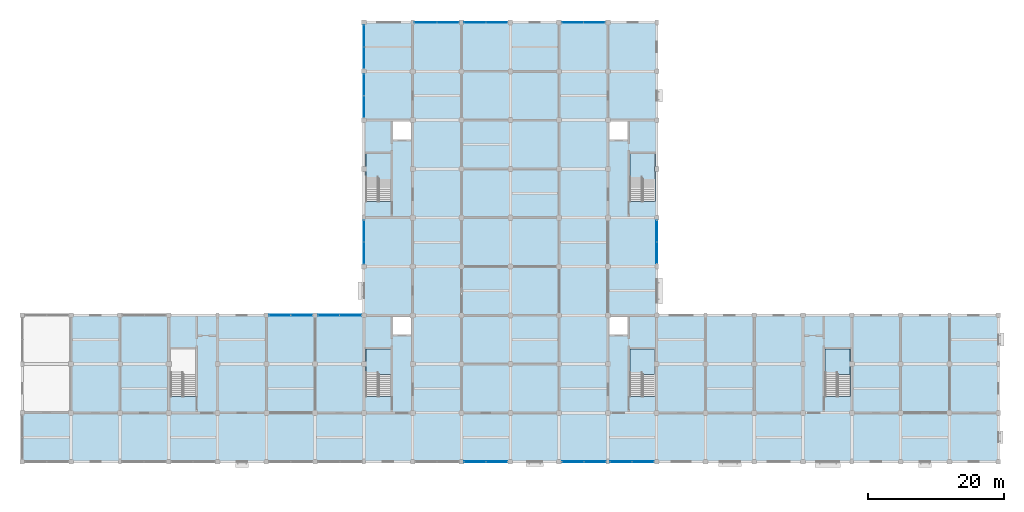
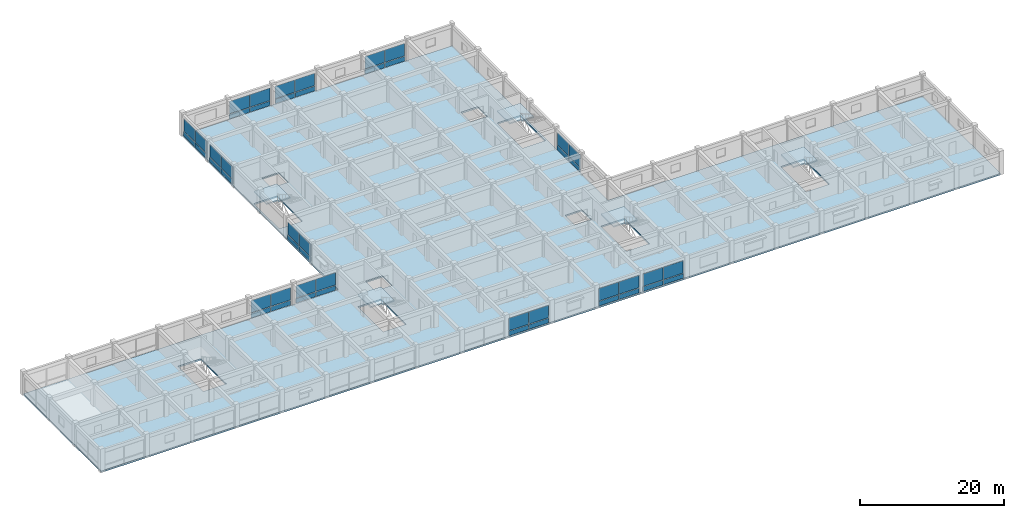
# One storey, part 12 of 25: 48 plates, 6 slabs, 17 elements without a shape of their own.
"""IFC4 building model written with IfcOpenShell, lengths in metres."""

from ifc_helpers import new_model, si_unit, direction, frame, origin, origin_2d, place, context, subcontext, project, spatial, polyline, rectangle, outline, extrude, material, layer, layer_set, type_object, element, aggregate, save


model = new_model("IFC4")

# Units and contexts
model_context = context("Model", 3, precision=1e-05, world=origin(), true_north=direction((0.0, 1.0)))
body_context = subcontext(model_context, "Body", "Model", "MODEL_VIEW")
ifc_project = project(units=[si_unit("LENGTHUNIT", "METRE"), si_unit("AREAUNIT", "SQUARE_METRE"), si_unit("VOLUMEUNIT", "CUBIC_METRE"), si_unit("PLANEANGLEUNIT", "RADIAN"), si_unit("MASSUNIT", "GRAM", prefix="KILO")], contexts=[model_context])

# Site, building, storey
site_placement = place(None, origin())
site = spatial("IfcSite", under=ifc_project, at=site_placement, CompositionType="ELEMENT")
building_placement = place(site_placement, origin())
building = spatial("IfcBuilding", under=site, at=building_placement, Name="Cendaluz Park School", CompositionType="ELEMENT")
storey_placement = place(building_placement, frame((0.0, 0.0, 18.60009765625)))
storey = spatial("IfcBuildingStorey", under=building, at=storey_placement, Name="L04", CompositionType="ELEMENT", Elevation=18.60009765625)

# Curtain wall, plates
ifc_material_1 = material(Name="Anodised Aluminium 6063-T6", Category="aluminium")
ifc_layer_1 = layer(ifc_material_1, 0.179931640625)
ifc_layer_set_1 = layer_set([ifc_layer_1], Name="Anodised Aluminium 6063-T6")
curtain_wall_type_1 = type_object("IfcCurtainWallType", Name="CW-130x62", PredefinedType="NOTDEFINED", material=ifc_layer_set_1)
curtain_wall_1_placement = place(storey_placement, origin())
curtain_wall_1 = element("IfcCurtainWall", 1, at=curtain_wall_1_placement, inside=storey, type_object=curtain_wall_type_1, Name="CW-L04-169", PredefinedType="NOTDEFINED")
ifc_material_2 = material(Name="Tempered Low-E Double Glazing", Category="glass")
ifc_layer_2 = layer(ifc_material_2, 0.028076171875)
ifc_layer_set_2 = layer_set([ifc_layer_2], Name="Tempered Low-E Double Glazing")
plate_type_1 = type_object("IfcPlateType", Name="CWP-G01", PredefinedType="CURTAIN_PANEL", material=ifc_layer_set_2)
plate_1_placement = place(storey_placement, frame((52.39501953125, 28.800048828125, 0.93994140625), z_axis=(0.0, 0.0, 1.0), x_axis=(1.0, 0.0, 0.0)))
plate_1 = element("IfcPlate", 2, at=plate_1_placement, type_object=plate_type_1, Name="CP-L04-2192", PredefinedType="CURTAIN_PANEL", context=body_context, shape_type="SweptSolid", body=[
    extrude(rectangle(XDim=3.1298828125, YDim=0.028076171875, at=origin_2d()), origin(), (0.0, 0.0, 1.0), 2.090087890625),
])
plate_2_placement = place(storey_placement, frame((55.60498046875, 28.800048828125, 0.93994140625), z_axis=(0.0, 0.0, 1.0), x_axis=(1.0, 0.0, 0.0)))
plate_2 = element("IfcPlate", 3, at=plate_2_placement, type_object=plate_type_1, Name="CP-L04-2197", PredefinedType="CURTAIN_PANEL", context=body_context, shape_type="SweptSolid", body=[
    extrude(rectangle(XDim=3.1298828125, YDim=0.028076171875, at=origin_2d()), origin(), (0.0, 0.0, 1.0), 2.090087890625),
])

curtain_wall_2_placement = place(storey_placement, origin())
curtain_wall_2 = element("IfcCurtainWall", 4, at=curtain_wall_2_placement, inside=storey, type_object=curtain_wall_type_1, Name="CW-L04-177", PredefinedType="NOTDEFINED")
plate_3_placement = place(storey_placement, frame((81.195068359375, 7.199951171875, 0.93994140625), z_axis=(0.0, 0.0, 1.0), x_axis=(1.0, 0.0, 0.0)))
plate_3 = element("IfcPlate", 5, at=plate_3_placement, type_object=plate_type_1, Name="CP-L04-2296", PredefinedType="CURTAIN_PANEL", context=body_context, shape_type="SweptSolid", body=[
    extrude(rectangle(XDim=3.1298828125, YDim=0.028076171875, at=origin_2d()), origin(), (0.0, 0.0, 1.0), 2.090087890625),
])
plate_4_placement = place(storey_placement, frame((84.405029296875, 7.199951171875, 0.93994140625), z_axis=(0.0, 0.0, 1.0), x_axis=(1.0, 0.0, 0.0)))
plate_4 = element("IfcPlate", 6, at=plate_4_placement, type_object=plate_type_1, Name="CP-L04-2301", PredefinedType="CURTAIN_PANEL", context=body_context, shape_type="SweptSolid", body=[
    extrude(rectangle(XDim=3.1298828125, YDim=0.028076171875, at=origin_2d()), origin(), (0.0, 0.0, 1.0), 2.090087890625),
])

curtain_wall_3_placement = place(storey_placement, origin())
curtain_wall_3 = element("IfcCurtainWall", 7, at=curtain_wall_3_placement, inside=storey, type_object=curtain_wall_type_1, Name="CW-L04-178", PredefinedType="NOTDEFINED")
plate_5_placement = place(storey_placement, frame((81.195068359375, 72.0, 0.93994140625), z_axis=(0.0, 0.0, 1.0), x_axis=(1.0, 0.0, 0.0)))
plate_5 = element("IfcPlate", 8, at=plate_5_placement, type_object=plate_type_1, Name="CP-L04-2309", PredefinedType="CURTAIN_PANEL", context=body_context, shape_type="SweptSolid", body=[
    extrude(rectangle(XDim=3.1298828125, YDim=0.028076171875, at=origin_2d()), origin(), (0.0, 0.0, 1.0), 2.090087890625),
])
plate_6_placement = place(storey_placement, frame((84.405029296875, 72.0, 0.93994140625), z_axis=(0.0, 0.0, 1.0), x_axis=(1.0, 0.0, 0.0)))
plate_6 = element("IfcPlate", 9, at=plate_6_placement, type_object=plate_type_1, Name="CP-L04-2314", PredefinedType="CURTAIN_PANEL", context=body_context, shape_type="SweptSolid", body=[
    extrude(rectangle(XDim=3.1298828125, YDim=0.028076171875, at=origin_2d()), origin(), (0.0, 0.0, 1.0), 2.090087890625),
])

curtain_wall_4_placement = place(storey_placement, origin())
curtain_wall_4 = element("IfcCurtainWall", 10, at=curtain_wall_4_placement, inside=storey, type_object=curtain_wall_type_1, Name="CW-L04-182", PredefinedType="NOTDEFINED")
plate_7_placement = place(storey_placement, frame((108.0, 38.013671875, 0.93994140625), z_axis=(0.0, 0.0, 1.0), x_axis=(0.0, 1.0, 0.0)))
plate_7 = element("IfcPlate", 11, at=plate_7_placement, type_object=plate_type_1, Name="CP-L04-2361", PredefinedType="CURTAIN_PANEL", context=body_context, shape_type="SweptSolid", body=[
    extrude(rectangle(XDim=3.117431640625, YDim=0.028076171875, at=origin_2d()), origin(), (0.0, 0.0, 1.0), 2.090087890625),
])
plate_8_placement = place(storey_placement, frame((108.0, 41.211181640625, 0.93994140625), z_axis=(0.0, 0.0, 1.0), x_axis=(0.0, 1.0, 0.0)))
plate_8 = element("IfcPlate", 12, at=plate_8_placement, type_object=plate_type_1, Name="CP-L04-2366", PredefinedType="CURTAIN_PANEL", context=body_context, shape_type="SweptSolid", body=[
    extrude(rectangle(XDim=3.117431640625, YDim=0.028076171875, at=origin_2d()), origin(), (0.0, 0.0, 1.0), 2.090087890625),
])

curtain_wall_5_placement = place(storey_placement, origin())
curtain_wall_5 = element("IfcCurtainWall", 13, at=curtain_wall_5_placement, inside=storey, type_object=curtain_wall_type_1, Name="CW-L04-171", PredefinedType="NOTDEFINED")
ifc_layer_3 = layer(ifc_material_2, 0.0380859375)
ifc_layer_set_3 = layer_set([ifc_layer_3], Name="Tempered Low-E Double Glazing")
plate_type_2 = type_object("IfcPlateType", Name="CWP-G02", PredefinedType="CURTAIN_PANEL", material=ifc_layer_set_3)
plate_9_placement = place(storey_placement, frame((59.594970703125, 28.800048828125, 0.93994140625), z_axis=(0.0, 0.0, 1.0), x_axis=(1.0, 0.0, 0.0)))
plate_9 = element("IfcPlate", 14, at=plate_9_placement, type_object=plate_type_2, Name="CP-L04-2218", PredefinedType="CURTAIN_PANEL", context=body_context, shape_type="SweptSolid", body=[
    extrude(rectangle(XDim=3.1298828125, YDim=0.0380859375, at=origin_2d()), origin(), (0.0, 0.0, 1.0), 2.090087890625),
])
plate_10_placement = place(storey_placement, frame((62.804931640625, 28.800048828125, 0.93994140625), z_axis=(0.0, 0.0, 1.0), x_axis=(1.0, 0.0, 0.0)))
plate_10 = element("IfcPlate", 15, at=plate_10_placement, type_object=plate_type_2, Name="CP-L04-2223", PredefinedType="CURTAIN_PANEL", context=body_context, shape_type="SweptSolid", body=[
    extrude(rectangle(XDim=3.1298828125, YDim=0.0380859375, at=origin_2d()), origin(), (0.0, 0.0, 1.0), 2.090087890625),
])

curtain_wall_6_placement = place(storey_placement, origin())
curtain_wall_6 = element("IfcCurtainWall", 16, at=curtain_wall_6_placement, inside=storey, type_object=curtain_wall_type_1, Name="CW-L04-172", PredefinedType="NOTDEFINED")
ifc_layer_4 = layer(ifc_material_2, 0.048095703125)
ifc_layer_set_4 = layer_set([ifc_layer_4], Name="Tempered Low-E Double Glazing")
plate_type_3 = type_object("IfcPlateType", Name="CWP-G03", PredefinedType="CURTAIN_PANEL", material=ifc_layer_set_4)
plate_11_placement = place(storey_placement, frame((64.800048828125, 37.98876953125, 0.93994140625), z_axis=(0.0, 0.0, 1.0), x_axis=(0.0, 1.0, 0.0)))
plate_11 = element("IfcPlate", 17, at=plate_11_placement, type_object=plate_type_3, Name="CP-L04-2231", PredefinedType="CURTAIN_PANEL", context=body_context, shape_type="SweptSolid", body=[
    extrude(rectangle(XDim=3.117431640625, YDim=0.048095703125, at=origin_2d()), origin(), (0.0, 0.0, 1.0), 2.090087890625),
])
plate_12_placement = place(storey_placement, frame((64.800048828125, 41.186279296875, 0.93994140625), z_axis=(0.0, 0.0, 1.0), x_axis=(0.0, 1.0, 0.0)))
plate_12 = element("IfcPlate", 18, at=plate_12_placement, type_object=plate_type_3, Name="CP-L04-2236", PredefinedType="CURTAIN_PANEL", context=body_context, shape_type="SweptSolid", body=[
    extrude(rectangle(XDim=3.117431640625, YDim=0.048095703125, at=origin_2d()), origin(), (0.0, 0.0, 1.0), 2.090087890625),
])

curtain_wall_7_placement = place(storey_placement, origin())
curtain_wall_7 = element("IfcCurtainWall", 19, at=curtain_wall_7_placement, inside=storey, type_object=curtain_wall_type_1, Name="CW-L04-173", PredefinedType="NOTDEFINED")
plate_13_placement = place(storey_placement, frame((64.800048828125, 59.594970703125, 0.93994140625), z_axis=(0.0, 0.0, 1.0), x_axis=(0.0, 1.0, 0.0)))
plate_13 = element("IfcPlate", 20, at=plate_13_placement, type_object=plate_type_3, Name="CP-L04-2244", PredefinedType="CURTAIN_PANEL", context=body_context, shape_type="SweptSolid", body=[
    extrude(rectangle(XDim=3.1298828125, YDim=0.048095703125, at=origin_2d()), origin(), (0.0, 0.0, 1.0), 2.090087890625),
])
plate_14_placement = place(storey_placement, frame((64.800048828125, 62.804931640625, 0.93994140625), z_axis=(0.0, 0.0, 1.0), x_axis=(0.0, 1.0, 0.0)))
plate_14 = element("IfcPlate", 21, at=plate_14_placement, type_object=plate_type_3, Name="CP-L04-2249", PredefinedType="CURTAIN_PANEL", context=body_context, shape_type="SweptSolid", body=[
    extrude(rectangle(XDim=3.1298828125, YDim=0.048095703125, at=origin_2d()), origin(), (0.0, 0.0, 1.0), 2.090087890625),
])

curtain_wall_8_placement = place(storey_placement, origin())
curtain_wall_8 = element("IfcCurtainWall", 22, at=curtain_wall_8_placement, inside=storey, type_object=curtain_wall_type_1, Name="CW-L04-174", PredefinedType="NOTDEFINED")
plate_15_placement = place(storey_placement, frame((64.800048828125, 66.794921875, 0.93994140625), z_axis=(0.0, 0.0, 1.0), x_axis=(0.0, 1.0, 0.0)))
plate_15 = element("IfcPlate", 23, at=plate_15_placement, type_object=plate_type_3, Name="CP-L04-2257", PredefinedType="CURTAIN_PANEL", context=body_context, shape_type="SweptSolid", body=[
    extrude(rectangle(XDim=3.1298828125, YDim=0.048095703125, at=origin_2d()), origin(), (0.0, 0.0, 1.0), 2.090087890625),
])
plate_16_placement = place(storey_placement, frame((64.800048828125, 70.0048828125, 0.93994140625), z_axis=(0.0, 0.0, 1.0), x_axis=(0.0, 1.0, 0.0)))
plate_16 = element("IfcPlate", 24, at=plate_16_placement, type_object=plate_type_3, Name="CP-L04-2262", PredefinedType="CURTAIN_PANEL", context=body_context, shape_type="SweptSolid", body=[
    extrude(rectangle(XDim=3.1298828125, YDim=0.048095703125, at=origin_2d()), origin(), (0.0, 0.0, 1.0), 2.090087890625),
])

ifc_layer_5 = layer(ifc_material_1, 0.179931640625)
ifc_layer_set_5 = layer_set([ifc_layer_5], Name="Anodised Aluminium 6063-T6")
curtain_wall_type_2 = type_object("IfcCurtainWallType", Name="CW-132x62", PredefinedType="NOTDEFINED", material=ifc_layer_set_5)
curtain_wall_9_placement = place(storey_placement, origin())
curtain_wall_9 = element("IfcCurtainWall", 25, at=curtain_wall_9_placement, inside=storey, type_object=curtain_wall_type_2, Name="CW-L04-179", PredefinedType="NOTDEFINED")
plate_17_placement = place(storey_placement, frame((95.6201171875, 7.199951171875, 0.93994140625), z_axis=(0.0, 0.0, 1.0), x_axis=(1.0, 0.0, 0.0)))
plate_17 = element("IfcPlate", 26, at=plate_17_placement, type_object=plate_type_3, Name="CP-L04-2322", PredefinedType="CURTAIN_PANEL", context=body_context, shape_type="SweptSolid", body=[
    extrude(rectangle(XDim=3.179931640625, YDim=0.048095703125, at=origin_2d()), origin(), (0.0, 0.0, 1.0), 2.090087890625),
])
plate_18_placement = place(storey_placement, frame((98.8798828125, 7.199951171875, 0.93994140625), z_axis=(0.0, 0.0, 1.0), x_axis=(1.0, 0.0, 0.0)))
plate_18 = element("IfcPlate", 27, at=plate_18_placement, type_object=plate_type_3, Name="CP-L04-2327", PredefinedType="CURTAIN_PANEL", context=body_context, shape_type="SweptSolid", body=[
    extrude(rectangle(XDim=3.179931640625, YDim=0.048095703125, at=origin_2d()), origin(), (0.0, 0.0, 1.0), 2.090087890625),
])

curtain_wall_10_placement = place(storey_placement, origin())
curtain_wall_10 = element("IfcCurtainWall", 28, at=curtain_wall_10_placement, inside=storey, type_object=curtain_wall_type_1, Name="CW-L04-180", PredefinedType="NOTDEFINED")
plate_19_placement = place(storey_placement, frame((95.594970703125, 72.0, 0.93994140625), z_axis=(0.0, 0.0, 1.0), x_axis=(1.0, 0.0, 0.0)))
plate_19 = element("IfcPlate", 29, at=plate_19_placement, type_object=plate_type_3, Name="CP-L04-2335", PredefinedType="CURTAIN_PANEL", context=body_context, shape_type="SweptSolid", body=[
    extrude(rectangle(XDim=3.1298828125, YDim=0.048095703125, at=origin_2d()), origin(), (0.0, 0.0, 1.0), 2.090087890625),
])
plate_20_placement = place(storey_placement, frame((98.804931640625, 72.0, 0.93994140625), z_axis=(0.0, 0.0, 1.0), x_axis=(1.0, 0.0, 0.0)))
plate_20 = element("IfcPlate", 30, at=plate_20_placement, type_object=plate_type_3, Name="CP-L04-2340", PredefinedType="CURTAIN_PANEL", context=body_context, shape_type="SweptSolid", body=[
    extrude(rectangle(XDim=3.1298828125, YDim=0.048095703125, at=origin_2d()), origin(), (0.0, 0.0, 1.0), 2.090087890625),
])

curtain_wall_11_placement = place(storey_placement, origin())
curtain_wall_11 = element("IfcCurtainWall", 31, at=curtain_wall_11_placement, inside=storey, type_object=curtain_wall_type_2, Name="CW-L04-176", PredefinedType="NOTDEFINED")
ifc_layer_6 = layer(ifc_material_2, 0.05810546875)
ifc_layer_set_6 = layer_set([ifc_layer_6], Name="Tempered Low-E Double Glazing")
plate_type_4 = type_object("IfcPlateType", Name="CWP-G04", PredefinedType="CURTAIN_PANEL", material=ifc_layer_set_6)
plate_21_placement = place(storey_placement, frame((73.919921875, 72.0, 0.93994140625), z_axis=(0.0, 0.0, 1.0), x_axis=(1.0, 0.0, 0.0)))
plate_21 = element("IfcPlate", 32, at=plate_21_placement, type_object=plate_type_4, Name="CP-L04-2283", PredefinedType="CURTAIN_PANEL", context=body_context, shape_type="SweptSolid", body=[
    extrude(rectangle(XDim=3.179931640625, YDim=0.05810546875, at=origin_2d()), origin(), (0.0, 0.0, 1.0), 2.090087890625),
])
plate_22_placement = place(storey_placement, frame((77.179931640625, 72.0, 0.93994140625), z_axis=(0.0, 0.0, 1.0), x_axis=(1.0, 0.0, 0.0)))
plate_22 = element("IfcPlate", 33, at=plate_22_placement, type_object=plate_type_4, Name="CP-L04-2288", PredefinedType="CURTAIN_PANEL", context=body_context, shape_type="SweptSolid", body=[
    extrude(rectangle(XDim=3.179931640625, YDim=0.05810546875, at=origin_2d()), origin(), (0.0, 0.0, 1.0), 2.090087890625),
])

curtain_wall_12_placement = place(storey_placement, origin())
curtain_wall_12 = element("IfcCurtainWall", 34, at=curtain_wall_12_placement, inside=storey, type_object=curtain_wall_type_2, Name="CW-L04-181", PredefinedType="NOTDEFINED")
plate_23_placement = place(storey_placement, frame((102.719970703125, 7.199951171875, 0.93994140625), z_axis=(0.0, 0.0, 1.0), x_axis=(1.0, 0.0, 0.0)))
plate_23 = element("IfcPlate", 35, at=plate_23_placement, type_object=plate_type_4, Name="CP-L04-2348", PredefinedType="CURTAIN_PANEL", context=body_context, shape_type="SweptSolid", body=[
    extrude(rectangle(XDim=3.179931640625, YDim=0.05810546875, at=origin_2d()), origin(), (0.0, 0.0, 1.0), 2.090087890625),
])
plate_24_placement = place(storey_placement, frame((105.97998046875, 7.199951171875, 0.93994140625), z_axis=(0.0, 0.0, 1.0), x_axis=(1.0, 0.0, 0.0)))
plate_24 = element("IfcPlate", 36, at=plate_24_placement, type_object=plate_type_4, Name="CP-L04-2353", PredefinedType="CURTAIN_PANEL", context=body_context, shape_type="SweptSolid", body=[
    extrude(rectangle(XDim=3.179931640625, YDim=0.05810546875, at=origin_2d()), origin(), (0.0, 0.0, 1.0), 2.090087890625),
])

# Plate
ifc_layer_7 = layer(ifc_material_1, 0.094970703125)
ifc_layer_set_7 = layer_set([ifc_layer_7], Name="Anodised Aluminium 6063-T6")
plate_type_5 = type_object("IfcPlateType", Name="CWP-S02", PredefinedType="CURTAIN_PANEL", material=ifc_layer_set_7)
plate_25_placement = place(storey_placement, frame((52.39501953125, 28.800048828125, 0.080078125), z_axis=(0.0, 0.0, 1.0), x_axis=(1.0, 0.0, 0.0)))
plate_25 = element("IfcPlate", 37, at=plate_25_placement, type_object=plate_type_5, Name="CP-L04-2191", PredefinedType="CURTAIN_PANEL", context=body_context, shape_type="SweptSolid", body=[
    extrude(rectangle(XDim=3.1298828125, YDim=0.094970703125, at=origin_2d()), origin(), (0.0, 0.0, 1.0), 0.780029296875),
])

plate_26_placement = place(storey_placement, frame((55.60498046875, 28.800048828125, 0.080078125), z_axis=(0.0, 0.0, 1.0), x_axis=(1.0, 0.0, 0.0)))
plate_26 = element("IfcPlate", 38, at=plate_26_placement, type_object=plate_type_5, Name="CP-L04-2196", PredefinedType="CURTAIN_PANEL", context=body_context, shape_type="SweptSolid", body=[
    extrude(rectangle(XDim=3.1298828125, YDim=0.094970703125, at=origin_2d()), origin(), (0.0, 0.0, 1.0), 0.780029296875),
])

aggregate(curtain_wall_1, [plate_25, plate_1, plate_26, plate_2])

plate_27_placement = place(storey_placement, frame((59.594970703125, 28.800048828125, 0.080078125), z_axis=(0.0, 0.0, 1.0), x_axis=(1.0, 0.0, 0.0)))
plate_27 = element("IfcPlate", 39, at=plate_27_placement, type_object=plate_type_5, Name="CP-L04-2217", PredefinedType="CURTAIN_PANEL", context=body_context, shape_type="SweptSolid", body=[
    extrude(rectangle(XDim=3.1298828125, YDim=0.094970703125, at=origin_2d()), origin(), (0.0, 0.0, 1.0), 0.780029296875),
])

plate_28_placement = place(storey_placement, frame((62.804931640625, 28.800048828125, 0.080078125), z_axis=(0.0, 0.0, 1.0), x_axis=(1.0, 0.0, 0.0)))
plate_28 = element("IfcPlate", 40, at=plate_28_placement, type_object=plate_type_5, Name="CP-L04-2222", PredefinedType="CURTAIN_PANEL", context=body_context, shape_type="SweptSolid", body=[
    extrude(rectangle(XDim=3.1298828125, YDim=0.094970703125, at=origin_2d()), origin(), (0.0, 0.0, 1.0), 0.780029296875),
])

aggregate(curtain_wall_5, [plate_27, plate_9, plate_28, plate_10])

plate_29_placement = place(storey_placement, frame((64.800048828125, 59.594970703125, 0.080078125), z_axis=(0.0, 0.0, 1.0), x_axis=(0.0, 1.0, 0.0)))
plate_29 = element("IfcPlate", 41, at=plate_29_placement, type_object=plate_type_5, Name="CP-L04-2243", PredefinedType="CURTAIN_PANEL", context=body_context, shape_type="SweptSolid", body=[
    extrude(rectangle(XDim=3.1298828125, YDim=0.094970703125, at=origin_2d()), origin(), (0.0, 0.0, 1.0), 0.780029296875),
])

plate_30_placement = place(storey_placement, frame((64.800048828125, 62.804931640625, 0.080078125), z_axis=(0.0, 0.0, 1.0), x_axis=(0.0, 1.0, 0.0)))
plate_30 = element("IfcPlate", 42, at=plate_30_placement, type_object=plate_type_5, Name="CP-L04-2248", PredefinedType="CURTAIN_PANEL", context=body_context, shape_type="SweptSolid", body=[
    extrude(rectangle(XDim=3.1298828125, YDim=0.094970703125, at=origin_2d()), origin(), (0.0, 0.0, 1.0), 0.780029296875),
])

aggregate(curtain_wall_7, [plate_29, plate_13, plate_30, plate_14])

ifc_layer_8 = layer(ifc_material_1, 0.110107421875)
ifc_layer_set_8 = layer_set([ifc_layer_8], Name="Anodised Aluminium 6063-T6")
plate_type_6 = type_object("IfcPlateType", Name="CWP-S03", PredefinedType="CURTAIN_PANEL", material=ifc_layer_set_8)
plate_31_placement = place(storey_placement, frame((64.800048828125, 37.98876953125, 0.080078125), z_axis=(0.0, 0.0, 1.0), x_axis=(0.0, 1.0, 0.0)))
plate_31 = element("IfcPlate", 43, at=plate_31_placement, type_object=plate_type_6, Name="CP-L04-2230", PredefinedType="CURTAIN_PANEL", context=body_context, shape_type="SweptSolid", body=[
    extrude(rectangle(XDim=3.117431640625, YDim=0.110107421875, at=origin_2d()), origin(), (0.0, 0.0, 1.0), 0.780029296875),
])

plate_32_placement = place(storey_placement, frame((64.800048828125, 41.186279296875, 0.080078125), z_axis=(0.0, 0.0, 1.0), x_axis=(0.0, 1.0, 0.0)))
plate_32 = element("IfcPlate", 44, at=plate_32_placement, type_object=plate_type_6, Name="CP-L04-2235", PredefinedType="CURTAIN_PANEL", context=body_context, shape_type="SweptSolid", body=[
    extrude(rectangle(XDim=3.117431640625, YDim=0.110107421875, at=origin_2d()), origin(), (0.0, 0.0, 1.0), 0.780029296875),
])

aggregate(curtain_wall_6, [plate_31, plate_11, plate_32, plate_12])

plate_33_placement = place(storey_placement, frame((64.800048828125, 66.794921875, 0.080078125), z_axis=(0.0, 0.0, 1.0), x_axis=(0.0, 1.0, 0.0)))
plate_33 = element("IfcPlate", 45, at=plate_33_placement, type_object=plate_type_6, Name="CP-L04-2256", PredefinedType="CURTAIN_PANEL", context=body_context, shape_type="SweptSolid", body=[
    extrude(rectangle(XDim=3.1298828125, YDim=0.110107421875, at=origin_2d()), origin(), (0.0, 0.0, 1.0), 0.780029296875),
])

plate_34_placement = place(storey_placement, frame((64.800048828125, 70.0048828125, 0.080078125), z_axis=(0.0, 0.0, 1.0), x_axis=(0.0, 1.0, 0.0)))
plate_34 = element("IfcPlate", 46, at=plate_34_placement, type_object=plate_type_6, Name="CP-L04-2261", PredefinedType="CURTAIN_PANEL", context=body_context, shape_type="SweptSolid", body=[
    extrude(rectangle(XDim=3.1298828125, YDim=0.110107421875, at=origin_2d()), origin(), (0.0, 0.0, 1.0), 0.780029296875),
])

aggregate(curtain_wall_8, [plate_33, plate_15, plate_34, plate_16])

plate_35_placement = place(storey_placement, frame((81.195068359375, 7.199951171875, 0.080078125), z_axis=(0.0, 0.0, 1.0), x_axis=(1.0, 0.0, 0.0)))
plate_35 = element("IfcPlate", 47, at=plate_35_placement, type_object=plate_type_6, Name="CP-L04-2295", PredefinedType="CURTAIN_PANEL", context=body_context, shape_type="SweptSolid", body=[
    extrude(rectangle(XDim=3.1298828125, YDim=0.110107421875, at=origin_2d()), origin(), (0.0, 0.0, 1.0), 0.780029296875),
])

plate_36_placement = place(storey_placement, frame((84.405029296875, 7.199951171875, 0.080078125), z_axis=(0.0, 0.0, 1.0), x_axis=(1.0, 0.0, 0.0)))
plate_36 = element("IfcPlate", 48, at=plate_36_placement, type_object=plate_type_6, Name="CP-L04-2300", PredefinedType="CURTAIN_PANEL", context=body_context, shape_type="SweptSolid", body=[
    extrude(rectangle(XDim=3.1298828125, YDim=0.110107421875, at=origin_2d()), origin(), (0.0, 0.0, 1.0), 0.780029296875),
])

aggregate(curtain_wall_2, [plate_35, plate_3, plate_36, plate_4])

plate_37_placement = place(storey_placement, frame((95.6201171875, 7.199951171875, 0.080078125), z_axis=(0.0, 0.0, 1.0), x_axis=(1.0, 0.0, 0.0)))
plate_37 = element("IfcPlate", 49, at=plate_37_placement, type_object=plate_type_6, Name="CP-L04-2321", PredefinedType="CURTAIN_PANEL", context=body_context, shape_type="SweptSolid", body=[
    extrude(rectangle(XDim=3.179931640625, YDim=0.110107421875, at=origin_2d()), origin(), (0.0, 0.0, 1.0), 0.780029296875),
])

plate_38_placement = place(storey_placement, frame((98.8798828125, 7.199951171875, 0.080078125), z_axis=(0.0, 0.0, 1.0), x_axis=(1.0, 0.0, 0.0)))
plate_38 = element("IfcPlate", 50, at=plate_38_placement, type_object=plate_type_6, Name="CP-L04-2326", PredefinedType="CURTAIN_PANEL", context=body_context, shape_type="SweptSolid", body=[
    extrude(rectangle(XDim=3.179931640625, YDim=0.110107421875, at=origin_2d()), origin(), (0.0, 0.0, 1.0), 0.780029296875),
])

aggregate(curtain_wall_9, [plate_37, plate_17, plate_38, plate_18])

plate_39_placement = place(storey_placement, frame((102.719970703125, 7.199951171875, 0.080078125), z_axis=(0.0, 0.0, 1.0), x_axis=(1.0, 0.0, 0.0)))
plate_39 = element("IfcPlate", 51, at=plate_39_placement, type_object=plate_type_6, Name="CP-L04-2347", PredefinedType="CURTAIN_PANEL", context=body_context, shape_type="SweptSolid", body=[
    extrude(rectangle(XDim=3.179931640625, YDim=0.110107421875, at=origin_2d()), origin(), (0.0, 0.0, 1.0), 0.780029296875),
])

plate_40_placement = place(storey_placement, frame((105.97998046875, 7.199951171875, 0.080078125), z_axis=(0.0, 0.0, 1.0), x_axis=(1.0, 0.0, 0.0)))
plate_40 = element("IfcPlate", 52, at=plate_40_placement, type_object=plate_type_6, Name="CP-L04-2352", PredefinedType="CURTAIN_PANEL", context=body_context, shape_type="SweptSolid", body=[
    extrude(rectangle(XDim=3.179931640625, YDim=0.110107421875, at=origin_2d()), origin(), (0.0, 0.0, 1.0), 0.780029296875),
])

aggregate(curtain_wall_12, [plate_39, plate_23, plate_40, plate_24])

plate_41_placement = place(storey_placement, frame((108.0, 38.013671875, 0.080078125), z_axis=(0.0, 0.0, 1.0), x_axis=(0.0, 1.0, 0.0)))
plate_41 = element("IfcPlate", 53, at=plate_41_placement, type_object=plate_type_6, Name="CP-L04-2360", PredefinedType="CURTAIN_PANEL", context=body_context, shape_type="SweptSolid", body=[
    extrude(rectangle(XDim=3.117431640625, YDim=0.110107421875, at=origin_2d()), origin(), (0.0, 0.0, 1.0), 0.780029296875),
])

plate_42_placement = place(storey_placement, frame((108.0, 41.211181640625, 0.080078125), z_axis=(0.0, 0.0, 1.0), x_axis=(0.0, 1.0, 0.0)))
plate_42 = element("IfcPlate", 54, at=plate_42_placement, type_object=plate_type_6, Name="CP-L04-2365", PredefinedType="CURTAIN_PANEL", context=body_context, shape_type="SweptSolid", body=[
    extrude(rectangle(XDim=3.117431640625, YDim=0.110107421875, at=origin_2d()), origin(), (0.0, 0.0, 1.0), 0.780029296875),
])

aggregate(curtain_wall_4, [plate_41, plate_7, plate_42, plate_8])

ifc_layer_9 = layer(ifc_material_1, 0.125)
ifc_layer_set_9 = layer_set([ifc_layer_9], Name="Anodised Aluminium 6063-T6")
plate_type_7 = type_object("IfcPlateType", Name="CWP-S04", PredefinedType="CURTAIN_PANEL", material=ifc_layer_set_9)
plate_43_placement = place(storey_placement, frame((73.919921875, 72.0, 0.080078125), z_axis=(0.0, 0.0, 1.0), x_axis=(1.0, 0.0, 0.0)))
plate_43 = element("IfcPlate", 55, at=plate_43_placement, type_object=plate_type_7, Name="CP-L04-2282", PredefinedType="CURTAIN_PANEL", context=body_context, shape_type="SweptSolid", body=[
    extrude(rectangle(XDim=3.179931640625, YDim=0.125, at=origin_2d()), origin(), (0.0, 0.0, 1.0), 0.780029296875),
])

plate_44_placement = place(storey_placement, frame((77.179931640625, 72.0, 0.080078125), z_axis=(0.0, 0.0, 1.0), x_axis=(1.0, 0.0, 0.0)))
plate_44 = element("IfcPlate", 56, at=plate_44_placement, type_object=plate_type_7, Name="CP-L04-2287", PredefinedType="CURTAIN_PANEL", context=body_context, shape_type="SweptSolid", body=[
    extrude(rectangle(XDim=3.179931640625, YDim=0.125, at=origin_2d()), origin(), (0.0, 0.0, 1.0), 0.780029296875),
])

aggregate(curtain_wall_11, [plate_43, plate_21, plate_44, plate_22])

plate_45_placement = place(storey_placement, frame((81.195068359375, 72.0, 0.080078125), z_axis=(0.0, 0.0, 1.0), x_axis=(1.0, 0.0, 0.0)))
plate_45 = element("IfcPlate", 57, at=plate_45_placement, type_object=plate_type_7, Name="CP-L04-2308", PredefinedType="CURTAIN_PANEL", context=body_context, shape_type="SweptSolid", body=[
    extrude(rectangle(XDim=3.1298828125, YDim=0.125, at=origin_2d()), origin(), (0.0, 0.0, 1.0), 0.780029296875),
])

plate_46_placement = place(storey_placement, frame((84.405029296875, 72.0, 0.080078125), z_axis=(0.0, 0.0, 1.0), x_axis=(1.0, 0.0, 0.0)))
plate_46 = element("IfcPlate", 58, at=plate_46_placement, type_object=plate_type_7, Name="CP-L04-2313", PredefinedType="CURTAIN_PANEL", context=body_context, shape_type="SweptSolid", body=[
    extrude(rectangle(XDim=3.1298828125, YDim=0.125, at=origin_2d()), origin(), (0.0, 0.0, 1.0), 0.780029296875),
])

aggregate(curtain_wall_3, [plate_45, plate_5, plate_46, plate_6])

plate_47_placement = place(storey_placement, frame((95.594970703125, 72.0, 0.080078125), z_axis=(0.0, 0.0, 1.0), x_axis=(1.0, 0.0, 0.0)))
plate_47 = element("IfcPlate", 59, at=plate_47_placement, type_object=plate_type_7, Name="CP-L04-2334", PredefinedType="CURTAIN_PANEL", context=body_context, shape_type="SweptSolid", body=[
    extrude(rectangle(XDim=3.1298828125, YDim=0.125, at=origin_2d()), origin(), (0.0, 0.0, 1.0), 0.780029296875),
])

plate_48_placement = place(storey_placement, frame((98.804931640625, 72.0, 0.080078125), z_axis=(0.0, 0.0, 1.0), x_axis=(1.0, 0.0, 0.0)))
plate_48 = element("IfcPlate", 60, at=plate_48_placement, type_object=plate_type_7, Name="CP-L04-2339", PredefinedType="CURTAIN_PANEL", context=body_context, shape_type="SweptSolid", body=[
    extrude(rectangle(XDim=3.1298828125, YDim=0.125, at=origin_2d()), origin(), (0.0, 0.0, 1.0), 0.780029296875),
])

aggregate(curtain_wall_10, [plate_47, plate_19, plate_48, plate_20])

# Slab
ifc_material_3 = material(Name="Concrete C40/50", Category="concrete")
ifc_layer_10 = layer(ifc_material_3, 0.260009765625)
ifc_layer_set_10 = layer_set([ifc_layer_10], Name="Concrete C40/50")
slab_type_1 = type_object("IfcSlabType", Name="SL-FL-260", PredefinedType="FLOOR", material=ifc_layer_set_10)
slab_1_placement = place(storey_placement, frame((0.0, 0.0, -0.260009765625)))
element("IfcSlab", 61, at=slab_1_placement, inside=storey, type_object=slab_type_1, Name="SL-L04-01", PredefinedType="FLOOR", context=body_context, shape_type="SweptSolid", body=[
    extrude(outline(polyline([(64.800048828125, 28.800048828125), (64.800048828125, 72.0), (108.0, 72.0), (108.0, 28.800048828125), (158.39990234375, 28.800048828125), (158.39990234375, 7.199951171875), (14.39990234375, 7.199951171875), (14.39990234375, 28.800048828125), (64.800048828125, 28.800048828125)]), holes=[polyline([(65.080078125, 23.840087890625), (65.080078125, 16.820068359375), (68.77001953125, 16.820068359375), (68.77001953125, 23.840087890625), (65.080078125, 23.840087890625)]), polyline([(71.800048828125, 28.60009765625), (69.10009765625, 28.60009765625), (69.10009765625, 25.93994140625), (71.800048828125, 25.93994140625), (71.800048828125, 28.60009765625)]), polyline([(107.719970703125, 16.820068359375), (107.719970703125, 23.840087890625), (104.030029296875, 23.840087890625), (104.030029296875, 16.820068359375), (107.719970703125, 16.820068359375)]), polyline([(101.0, 25.93994140625), (103.699951171875, 25.93994140625), (103.699951171875, 28.60009765625), (101.0, 28.60009765625), (101.0, 25.93994140625)]), polyline([(65.080078125, 52.639892578125), (65.080078125, 45.6201171875), (68.77001953125, 45.6201171875), (68.77001953125, 52.639892578125), (65.080078125, 52.639892578125)]), polyline([(71.800048828125, 57.39990234375), (69.10009765625, 57.39990234375), (69.10009765625, 54.739990234375), (71.800048828125, 54.739990234375), (71.800048828125, 57.39990234375)]), polyline([(107.719970703125, 45.6201171875), (107.719970703125, 52.639892578125), (104.030029296875, 52.639892578125), (104.030029296875, 45.6201171875), (107.719970703125, 45.6201171875)]), polyline([(101.0, 54.739990234375), (103.699951171875, 54.739990234375), (103.699951171875, 57.39990234375), (101.0, 57.39990234375), (101.0, 54.739990234375)]), polyline([(36.280029296875, 23.840087890625), (36.280029296875, 16.820068359375), (39.969970703125, 16.820068359375), (39.969970703125, 23.840087890625), (36.280029296875, 23.840087890625)]), polyline([(136.52001953125, 23.840087890625), (132.830078125, 23.840087890625), (132.830078125, 16.820068359375), (136.52001953125, 16.820068359375), (136.52001953125, 23.840087890625)])]), origin(), (0.0, 0.0, 1.0), 0.260009765625),
])

# Stair, slab
stair_type = type_object("IfcStairType", Name="ST-400-180", PredefinedType="HALF_TURN_STAIR", material=ifc_material_3)
stair_1_placement = place(storey_placement, origin())
stair_1 = element("IfcStair", 62, at=stair_1_placement, inside=storey, type_object=stair_type, Name="ST-L04-C1", PredefinedType="HALF_TURN_STAIR")
ifc_layer_11 = layer(ifc_material_3, 0.199951171875)
ifc_layer_set_11 = layer_set([ifc_layer_11], Name="Concrete C40/50")
slab_type_2 = type_object("IfcSlabType", Name="SL-LD-200", PredefinedType="LANDING", material=ifc_layer_set_11)
slab_2_placement = place(storey_placement, frame((0.0, 0.0, 1.8798828125)))
slab_2 = element("IfcSlab", 63, at=slab_2_placement, type_object=slab_type_2, Name="SL-LD-L04-C1", PredefinedType="LANDING", context=body_context, shape_type="SweptSolid", body=[
    extrude(outline(polyline([(65.090087890625, 20.360107421875), (66.925048828125, 20.360107421875), (66.925048828125, 20.06005859375), (68.77001953125, 20.06005859375), (68.77001953125, 23.860107421875), (65.090087890625, 23.860107421875), (65.090087890625, 20.360107421875)])), origin(), (0.0, 0.0, 1.0), 0.199951171875),
])
aggregate(stair_1, [slab_2])

stair_2_placement = place(storey_placement, origin())
stair_2 = element("IfcStair", 64, at=stair_2_placement, inside=storey, type_object=stair_type, Name="ST-L04-C2", PredefinedType="HALF_TURN_STAIR")
slab_3_placement = place(storey_placement, frame((0.0, 0.0, 1.8798828125)))
slab_3 = element("IfcSlab", 65, at=slab_3_placement, type_object=slab_type_2, Name="SL-LD-L04-C2", PredefinedType="LANDING", context=body_context, shape_type="SweptSolid", body=[
    extrude(outline(polyline([(104.030029296875, 20.360107421875), (105.875, 20.360107421875), (105.875, 20.06005859375), (107.7099609375, 20.06005859375), (107.7099609375, 23.860107421875), (104.030029296875, 23.860107421875), (104.030029296875, 20.360107421875)])), origin(), (0.0, 0.0, 1.0), 0.199951171875),
])
aggregate(stair_2, [slab_3])

stair_3_placement = place(storey_placement, origin())
stair_3 = element("IfcStair", 66, at=stair_3_placement, inside=storey, type_object=stair_type, Name="ST-L04-C3", PredefinedType="HALF_TURN_STAIR")
slab_4_placement = place(storey_placement, frame((0.0, 0.0, 1.8798828125)))
slab_4 = element("IfcSlab", 67, at=slab_4_placement, type_object=slab_type_2, Name="SL-LD-L04-C3", PredefinedType="LANDING", context=body_context, shape_type="SweptSolid", body=[
    extrude(outline(polyline([(65.090087890625, 49.159912109375), (66.925048828125, 49.159912109375), (66.925048828125, 48.860107421875), (68.77001953125, 48.860107421875), (68.77001953125, 52.659912109375), (65.090087890625, 52.659912109375), (65.090087890625, 49.159912109375)])), origin(), (0.0, 0.0, 1.0), 0.199951171875),
])
aggregate(stair_3, [slab_4])

stair_4_placement = place(storey_placement, origin())
stair_4 = element("IfcStair", 68, at=stair_4_placement, inside=storey, type_object=stair_type, Name="ST-L04-C4", PredefinedType="HALF_TURN_STAIR")
slab_5_placement = place(storey_placement, frame((0.0, 0.0, 1.8798828125)))
slab_5 = element("IfcSlab", 69, at=slab_5_placement, type_object=slab_type_2, Name="SL-LD-L04-C4", PredefinedType="LANDING", context=body_context, shape_type="SweptSolid", body=[
    extrude(outline(polyline([(104.030029296875, 49.159912109375), (105.875, 49.159912109375), (105.875, 48.860107421875), (107.7099609375, 48.860107421875), (107.7099609375, 52.659912109375), (104.030029296875, 52.659912109375), (104.030029296875, 49.159912109375)])), origin(), (0.0, 0.0, 1.0), 0.199951171875),
])
aggregate(stair_4, [slab_5])

stair_5_placement = place(storey_placement, origin())
stair_5 = element("IfcStair", 70, at=stair_5_placement, inside=storey, type_object=stair_type, Name="ST-L04-C6", PredefinedType="HALF_TURN_STAIR")
slab_6_placement = place(storey_placement, frame((0.0, 0.0, 1.8798828125)))
slab_6 = element("IfcSlab", 71, at=slab_6_placement, type_object=slab_type_2, Name="SL-LD-L04-C6", PredefinedType="LANDING", context=body_context, shape_type="SweptSolid", body=[
    extrude(outline(polyline([(132.830078125, 20.360107421875), (134.675048828125, 20.360107421875), (134.675048828125, 20.06005859375), (136.510009765625, 20.06005859375), (136.510009765625, 23.860107421875), (132.830078125, 23.860107421875), (132.830078125, 20.360107421875)])), origin(), (0.0, 0.0, 1.0), 0.199951171875),
])
aggregate(stair_5, [slab_6])

save(model, "model.ifc")
